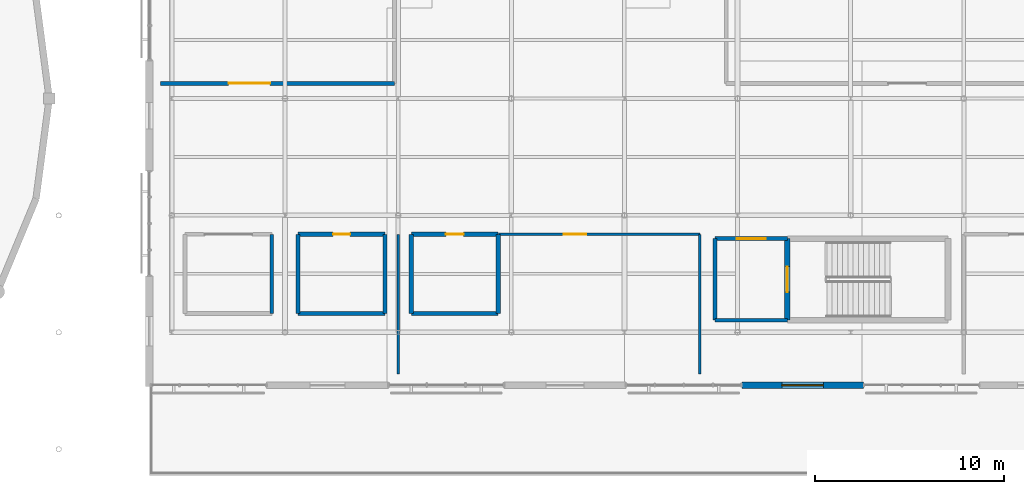
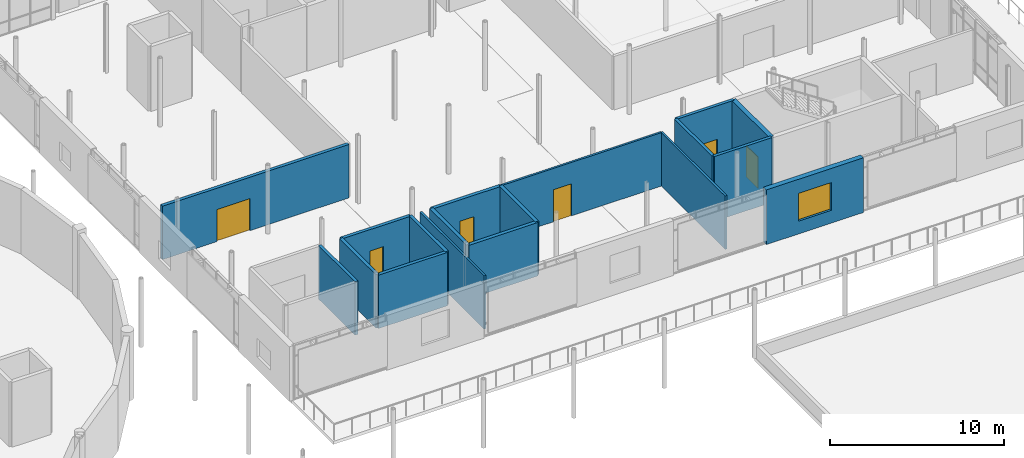
# One storey, part 46 of 66: 18 walls, 6 doors, 1 window, 7 openings.
"""IFC4 building model written with IfcOpenShell, lengths in metres."""

from ifc_helpers import new_model, si_unit, direction, frame, frame_2d, origin, place, context, subcontext, project, spatial, rectangle, extrude, material, layer, layer_set, type_object, element, fill, save


model = new_model("IFC4")

# Units and contexts
model_context = context("Model", 3, precision=1e-05, world=origin(), true_north=direction((0.0, 1.0)))
body_context = subcontext(model_context, "Body", "Model", "MODEL_VIEW")
ifc_project = project(units=[si_unit("LENGTHUNIT", "METRE"), si_unit("AREAUNIT", "SQUARE_METRE"), si_unit("VOLUMEUNIT", "CUBIC_METRE"), si_unit("PLANEANGLEUNIT", "RADIAN"), si_unit("MASSUNIT", "GRAM", prefix="KILO")], contexts=[model_context])

# Site, building, storey
site_placement = place(None, origin())
site = spatial("IfcSite", under=ifc_project, at=site_placement, CompositionType="ELEMENT")
building_placement = place(site_placement, origin())
building = spatial("IfcBuilding", under=site, at=building_placement, Name="Mirzam Square Science Centre", CompositionType="ELEMENT")
storey_placement = place(building_placement, frame((0.0, 0.0, 15.60009765625)))
storey = spatial("IfcBuildingStorey", under=building, at=storey_placement, Name="L03", CompositionType="ELEMENT", Elevation=15.60009765625)

# Wall, opening, door
ifc_material_1 = material(Name="Concrete C45/55", Category="concrete")
ifc_layer_1 = layer(ifc_material_1, 0.300048828125)
ifc_layer_set_1 = layer_set([ifc_layer_1], Name="W-CORE-300")
wall_type_1 = type_object("IfcWallType", Name="W-CORE-300", PredefinedType="SHEAR", material=ifc_layer_set_1)
wall_1_placement = place(storey_placement, frame((140.639892578125, 54.570068359375, 0.0), z_axis=(0.0, 0.0, 1.0), x_axis=(0.0, -1.0, 0.0)))
wall_1 = element("IfcWall", 1, at=wall_1_placement, inside=storey, type_object=wall_type_1, Name="L03 CORE-5 west wall", PredefinedType="SHEAR", context=body_context, shape_type="SweptSolid", body=[
    extrude(rectangle(XDim=4.330078125, YDim=0.300048828125, at=frame_2d((2.1650390625, 0.0))), origin(), (0.0, 0.0, 1.0), 4.5498046875),
])
opening_1_placement = place(wall_1_placement, frame((1.489990234375, 0.0, 0.0)))
opening_1 = element("IfcOpeningElement", 2, at=opening_1_placement, cuts=wall_1, Name="Opening DS-01", PredefinedType="OPENING", context=body_context, shape_type="SweptSolid", body=[
    extrude(rectangle(XDim=1.35009765625, YDim=2.199951171875, at=frame_2d((0.675048828125, 1.10009765625))), frame((0.0, 0.159912109375, 0.0), z_axis=(0.0, -1.0, 0.0), x_axis=(1.0, 0.0, 0.0)), (0.0, 0.0, 1.0), 0.320068359375),
])
ifc_material_2 = material(Name="Fire-Rated Powder-Coated Architectural Steel Door", Category="steel")
door_type_1 = type_object("IfcDoorType", Name="DR-STAIR-1350x2200", OperationType="NOTDEFINED", PredefinedType="DOOR", material=ifc_material_2)
door_1_placement = place(opening_1_placement, origin())
door_1 = element("IfcDoor", 3, at=door_1_placement, inside=storey, type_object=door_type_1, Name="DRS-5-L03", OperationType="SINGLE_SWING_LEFT", OverallHeight=2.199951171875, OverallWidth=1.35009765625, PredefinedType="DOOR", context=body_context, shape_type="SweptSolid", body=[
    extrude(rectangle(XDim=1.35009765625, YDim=2.199951171875, at=frame_2d((0.675048828125, 1.10009765625))), frame((0.0, 0.02490234375, 0.0), z_axis=(0.0, -1.0, 0.0), x_axis=(1.0, 0.0, 0.0)), (0.0, 0.0, 1.0), 0.050048828125),
])
fill(opening_1, door_1)

# Wall, opening, window
ifc_material_3 = material(Name="Insulated Sand-Toned GFRC Concrete C40/50", Category="concrete")
ifc_layer_2 = layer(ifc_material_3, 0.340087890625)
ifc_layer_set_2 = layer_set([ifc_layer_2], Name="W-EXT-GFRC-340")
wall_type_2 = type_object("IfcWallType", Name="W-EXT-GFRC-340", PredefinedType="SOLIDWALL", material=ifc_layer_set_2)
wall_2_placement = place(storey_placement, frame((138.22509765625, 46.800048828125, 0.0), z_axis=(0.0, 0.0, 1.0), x_axis=(1.0, 0.0, 0.0)))
wall_2 = element("IfcWall", 4, at=wall_2_placement, inside=storey, type_object=wall_type_2, Name="L03 external wall EW-EST-S-L03-06", PredefinedType="SOLIDWALL", context=body_context, shape_type="SweptSolid", body=[
    extrude(rectangle(XDim=6.449951171875, YDim=0.340087890625, at=frame_2d((3.22509765625, 0.0))), origin(), (0.0, 0.0, 1.0), 3.83984375),
])
opening_2_placement = place(wall_2_placement, frame((2.125, 0.0, 0.89990234375)))
opening_2 = element("IfcOpeningElement", 5, at=opening_2_placement, cuts=wall_2, Name="Opening W-41", PredefinedType="OPENING", context=body_context, shape_type="SweptSolid", body=[
    extrude(rectangle(XDim=2.199951171875, YDim=1.949951171875, at=frame_2d((1.10009765625, 0.97509765625))), frame((0.0, 0.179931640625, 0.0), z_axis=(0.0, -1.0, 0.0), x_axis=(1.0, 0.0, 0.0)), (0.0, 0.0, 1.0), 0.360107421875),
])
ifc_material_4 = material(Name="Thermally Broken Bronze Aluminium and Low-E Glass", Category="aluminium")
window_type = type_object("IfcWindowType", Name="WIN-2200x1950", PartitioningType="DOUBLE_PANEL_VERTICAL", PredefinedType="WINDOW", material=ifc_material_4)
window_placement = place(opening_2_placement, origin())
window = element("IfcWindow", 6, at=window_placement, inside=storey, type_object=window_type, Name="L03 solar window 085", OverallHeight=1.949951171875, OverallWidth=2.199951171875, PartitioningType="DOUBLE_PANEL_VERTICAL", PredefinedType="WINDOW", context=body_context, shape_type="SweptSolid", body=[
    extrude(rectangle(XDim=2.199951171875, YDim=1.949951171875, at=frame_2d((1.10009765625, 0.97509765625))), frame((0.0, 0.030029296875, 0.0), z_axis=(0.0, -1.0, 0.0), x_axis=(1.0, 0.0, 0.0)), (0.0, 0.0, 1.0), 0.06005859375),
])
fill(opening_2, window)

# Wall
ifc_layer_3 = layer(ifc_material_1, 0.199951171875)
ifc_layer_set_3 = layer_set([ifc_layer_3], Name="W-LOBBY-200")
wall_type_3 = type_object("IfcWallType", Name="W-LOBBY-200", PredefinedType="SHEAR", material=ifc_layer_set_3)
wall_3_placement = place(storey_placement, frame((136.800048828125, 50.239990234375, 0.0), z_axis=(0.0, 0.0, 1.0), x_axis=(1.0, 0.0, 0.0)))
element("IfcWall", 7, at=wall_3_placement, inside=storey, type_object=wall_type_3, Name="L03 CORE-5 lobby south wall", PredefinedType="SHEAR", context=body_context, shape_type="SweptSolid", body=[
    extrude(rectangle(XDim=3.83984375, YDim=0.199951171875, at=frame_2d((1.919921875, 0.0))), origin(), (0.0, 0.0, 1.0), 4.5498046875),
])

# Wall, opening, door
wall_4_placement = place(storey_placement, frame((140.639892578125, 54.570068359375, 0.0), z_axis=(0.0, 0.0, 1.0), x_axis=(-1.0, 0.0, 0.0)))
wall_4 = element("IfcWall", 8, at=wall_4_placement, inside=storey, type_object=wall_type_3, Name="L03 CORE-5 lobby north wall", PredefinedType="SHEAR", context=body_context, shape_type="SweptSolid", body=[
    extrude(rectangle(XDim=3.83984375, YDim=0.199951171875, at=frame_2d((1.919921875, 0.0))), origin(), (0.0, 0.0, 1.0), 4.5498046875),
])
opening_3_placement = place(wall_4_placement, frame((1.14501953125, 0.0, 0.0)))
opening_3 = element("IfcOpeningElement", 9, at=opening_3_placement, cuts=wall_4, Name="Opening DL-01", PredefinedType="OPENING", context=body_context, shape_type="SweptSolid", body=[
    extrude(rectangle(XDim=1.550048828125, YDim=2.199951171875, at=frame_2d((0.77490234375, 1.10009765625))), frame((0.0, 0.10986328125, 0.0), z_axis=(0.0, -1.0, 0.0), x_axis=(1.0, 0.0, 0.0)), (0.0, 0.0, 1.0), 0.219970703125),
])
ifc_material_5 = material(Name="Fire-Rated Glazed Architectural Steel Lobby Door", Category="steel")
door_type_2 = type_object("IfcDoorType", Name="DR-LOBBY-1550x2200", OperationType="DOUBLE_DOOR_SINGLE_SWING", PredefinedType="DOOR", material=ifc_material_5)
door_2_placement = place(opening_3_placement, origin())
door_2 = element("IfcDoor", 10, at=door_2_placement, inside=storey, type_object=door_type_2, Name="DRL-5-L03", OperationType="SINGLE_SWING_LEFT", OverallHeight=2.199951171875, OverallWidth=1.550048828125, PredefinedType="DOOR", context=body_context, shape_type="SweptSolid", body=[
    extrude(rectangle(XDim=1.550048828125, YDim=2.199951171875, at=frame_2d((0.77490234375, 1.10009765625))), frame((0.0, 0.02490234375, 0.0), z_axis=(0.0, -1.0, 0.0), x_axis=(1.0, 0.0, 0.0)), (0.0, 0.0, 1.0), 0.050048828125),
])
fill(opening_3, door_2)

# Walls
wall_5_placement = place(storey_placement, frame((136.800048828125, 54.570068359375, 0.0), z_axis=(0.0, 0.0, 1.0), x_axis=(0.0, -1.0, 0.0)))
element("IfcWall", 11, at=wall_5_placement, inside=storey, type_object=wall_type_3, Name="L03 CORE-5 lobby west wall", PredefinedType="SHEAR", context=body_context, shape_type="SweptSolid", body=[
    extrude(rectangle(XDim=4.330078125, YDim=0.199951171875, at=frame_2d((2.1650390625, 0.0))), origin(), (0.0, 0.0, 1.0), 4.5498046875),
])
ifc_material_6 = material(Name="Double-Board Gypsum Partition", Category="gypsum")
ifc_layer_4 = layer(ifc_material_6, 0.135009765625)
ifc_layer_set_4 = layer_set([ifc_layer_4], Name="W-PART-135")
wall_type_4 = type_object("IfcWallType", Name="W-PART-135", PredefinedType="PARTITIONING", material=ifc_layer_set_4)
for number, where, z_axis, x_axis, name in (
    (12, (136.0, 54.800048828125, 0.0), (0.0, 0.0, 1.0), (0.0, -1.0, 0.0), "L03 Photonics and Laser Dry Laboratory 2 partition 232"),
    (13, (120.0, 47.39990234375, 0.0), (0.0, 0.0, 1.0), (0.0, 1.0, 0.0), "L03 Photonics and Laser Dry Laboratory 2 partition 233"),
):
    element("IfcWall", number, at=place(storey_placement, frame(where, z_axis=z_axis, x_axis=x_axis)), inside=storey, type_object=wall_type_4, Name=name, PredefinedType="PARTITIONING", context=body_context, shape_type="SweptSolid", body=[
        extrude(rectangle(XDim=7.400146484375, YDim=0.135009765625, at=frame_2d((3.7001953125, 0.0))), origin(), (0.0, 0.0, 1.0), 3.75),
    ])

# Wall, opening, door
wall_6_placement = place(storey_placement, frame((125.31005859375, 54.800048828125, 0.0), z_axis=(0.0, 0.0, 1.0), x_axis=(1.0, 0.0, 0.0)))
wall_6 = element("IfcWall", 14, at=wall_6_placement, inside=storey, type_object=wall_type_4, Name="L03 Photonics and Laser Dry Laboratory 2 partition 234", PredefinedType="PARTITIONING", context=body_context, shape_type="SweptSolid", body=[
    extrude(rectangle(XDim=10.68994140625, YDim=0.135009765625, at=frame_2d((5.344970703125, 0.0))), origin(), (0.0, 0.0, 1.0), 3.75),
])
opening_4_placement = place(wall_6_placement, frame((3.462158203125, 0.0, 0.0)))
opening_4 = element("IfcOpeningElement", 15, at=opening_4_placement, cuts=wall_6, Name="Opening D-18", PredefinedType="OPENING", context=body_context, shape_type="SweptSolid", body=[
    extrude(rectangle(XDim=1.199951171875, YDim=2.25, at=frame_2d((0.60009765625, 1.125))), frame((0.0, 0.077392578125, 0.0), z_axis=(0.0, -1.0, 0.0), x_axis=(1.0, 0.0, 0.0)), (0.0, 0.0, 1.0), 0.155029296875),
])
ifc_material_7 = material(Name="Solid Core Acoustic Oak Timber Door", Category="wood")
door_type_3 = type_object("IfcDoorType", Name="DR-INT-1200x2250", OperationType="NOTDEFINED", PredefinedType="DOOR", material=ifc_material_7)
door_3_placement = place(opening_4_placement, origin())
door_3 = element("IfcDoor", 16, at=door_3_placement, inside=storey, type_object=door_type_3, Name="ID-L03-0065", OperationType="SINGLE_SWING_RIGHT", OverallHeight=2.25, OverallWidth=1.199951171875, PredefinedType="DOOR", context=body_context, shape_type="SweptSolid", body=[
    extrude(rectangle(XDim=1.199951171875, YDim=2.25, at=frame_2d((0.60009765625, 1.125))), frame((0.0, 0.02490234375, 0.0), z_axis=(0.0, -1.0, 0.0), x_axis=(1.0, 0.0, 0.0)), (0.0, 0.0, 1.0), 0.050048828125),
])
fill(opening_4, door_3)

# Wall
ifc_material_8 = material(Name="Fire-Rated Corridor Blockwork Concrete C30/37", Category="masonry")
ifc_layer_5 = layer(ifc_material_8, 0.199951171875)
ifc_layer_set_5 = layer_set([ifc_layer_5], Name="W-PART-200")
wall_type_5 = type_object("IfcWallType", Name="W-PART-200", PredefinedType="PARTITIONING", material=ifc_layer_set_5)
wall_7_placement = place(storey_placement, frame((113.300048828125, 54.800048828125, 0.0), z_axis=(0.0, 0.0, 1.0), x_axis=(0.0, -1.0, 0.0)))
element("IfcWall", 17, at=wall_7_placement, inside=storey, type_object=wall_type_5, Name="L03 Male WC L03 partition 214", PredefinedType="PARTITIONING", context=body_context, shape_type="SweptSolid", body=[
    extrude(rectangle(XDim=4.199951171875, YDim=0.199951171875, at=frame_2d((2.10009765625, 0.0))), origin(), (0.0, 0.0, 1.0), 3.75),
])

# Wall, opening, door
ifc_material_9 = material(Name="Chemical Prep Fire Partition Concrete C30/37", Category="concrete")
ifc_layer_6 = layer(ifc_material_9, 0.215087890625)
ifc_layer_set_6 = layer_set([ifc_layer_6], Name="W-PART-215")
wall_type_6 = type_object("IfcWallType", Name="W-PART-215", PredefinedType="PARTITIONING", material=ifc_layer_set_6)
wall_8_placement = place(storey_placement, frame((114.699951171875, 54.800048828125, 0.0), z_axis=(0.0, 0.0, 1.0), x_axis=(1.0, 0.0, 0.0)))
wall_8 = element("IfcWall", 18, at=wall_8_placement, inside=storey, type_object=wall_type_6, Name="L03 Female WC L03 partition 217", PredefinedType="PARTITIONING", context=body_context, shape_type="SweptSolid", body=[
    extrude(rectangle(XDim=4.60009765625, YDim=0.215087890625, at=frame_2d((2.300048828125, 0.0))), origin(), (0.0, 0.0, 1.0), 3.75),
])
opening_5_placement = place(wall_8_placement, frame((1.85009765625, 0.0, 0.0)))
opening_5 = element("IfcOpeningElement", 19, at=opening_5_placement, cuts=wall_8, Name="Opening D-13", PredefinedType="OPENING", context=body_context, shape_type="SweptSolid", body=[
    extrude(rectangle(XDim=0.89990234375, YDim=2.25, at=frame_2d((0.449951171875, 1.125))), frame((0.0, 0.117431640625, 0.0), z_axis=(0.0, -1.0, 0.0), x_axis=(1.0, 0.0, 0.0)), (0.0, 0.0, 1.0), 0.235107421875),
])
door_type_4 = type_object("IfcDoorType", Name="DR-INT-900x2250", OperationType="NOTDEFINED", PredefinedType="DOOR", material=ifc_material_7)
door_4_placement = place(opening_5_placement, origin())
door_4 = element("IfcDoor", 20, at=door_4_placement, inside=storey, type_object=door_type_4, Name="ID-L03-0060", OperationType="SINGLE_SWING_LEFT", OverallHeight=2.25, OverallWidth=0.89990234375, PredefinedType="DOOR", context=body_context, shape_type="SweptSolid", body=[
    extrude(rectangle(XDim=0.89990234375, YDim=2.25, at=frame_2d((0.449951171875, 1.125))), frame((0.0, 0.02490234375, 0.0), z_axis=(0.0, -1.0, 0.0), x_axis=(1.0, 0.0, 0.0)), (0.0, 0.0, 1.0), 0.050048828125),
])
fill(opening_5, door_4)

# Walls
wall_9_placement = place(storey_placement, frame((119.300048828125, 54.800048828125, 0.0), z_axis=(0.0, 0.0, 1.0), x_axis=(0.0, -1.0, 0.0)))
element("IfcWall", 21, at=wall_9_placement, inside=storey, type_object=wall_type_6, Name="L03 Female WC L03 partition 218", PredefinedType="PARTITIONING", context=body_context, shape_type="SweptSolid", body=[
    extrude(rectangle(XDim=4.199951171875, YDim=0.215087890625, at=frame_2d((2.10009765625, 0.0))), origin(), (0.0, 0.0, 1.0), 3.75),
])
wall_10_placement = place(storey_placement, frame((119.300048828125, 50.60009765625, 0.0), z_axis=(0.0, 0.0, 1.0), x_axis=(-1.0, 0.0, 0.0)))
element("IfcWall", 22, at=wall_10_placement, inside=storey, type_object=wall_type_6, Name="L03 Female WC L03 partition 219", PredefinedType="PARTITIONING", context=body_context, shape_type="SweptSolid", body=[
    extrude(rectangle(XDim=4.60009765625, YDim=0.215087890625, at=frame_2d((2.300048828125, 0.0))), origin(), (0.0, 0.0, 1.0), 3.75),
])
wall_11_placement = place(storey_placement, frame((114.699951171875, 50.60009765625, 0.0), z_axis=(0.0, 0.0, 1.0), x_axis=(0.0, 1.0, 0.0)))
element("IfcWall", 23, at=wall_11_placement, inside=storey, type_object=wall_type_6, Name="L03 Female WC L03 partition 220", PredefinedType="PARTITIONING", context=body_context, shape_type="SweptSolid", body=[
    extrude(rectangle(XDim=4.199951171875, YDim=0.215087890625, at=frame_2d((2.10009765625, 0.0))), origin(), (0.0, 0.0, 1.0), 3.75),
])

# Wall, opening, door
wall_12_placement = place(storey_placement, frame((119.800048828125, 62.800048828125, 0.0), z_axis=(0.0, 0.0, 1.0), x_axis=(-1.0, 0.0, 0.0)))
wall_12 = element("IfcWall", 24, at=wall_12_placement, inside=storey, type_object=wall_type_6, Name="L03 Arid Botany Wet Laboratory 4 partition 252", PredefinedType="PARTITIONING", context=body_context, shape_type="SweptSolid", body=[
    extrude(rectangle(XDim=12.400146484375, YDim=0.215087890625, at=frame_2d((6.2001953125, 0.0))), origin(), (0.0, 0.0, 1.0), 3.75),
])
opening_6_placement = place(wall_12_placement, frame((6.587890625, 0.0, 0.0)))
opening_6 = element("IfcOpeningElement", 25, at=opening_6_placement, cuts=wall_12, Name="Opening D-23", PredefinedType="OPENING", context=body_context, shape_type="SweptSolid", body=[
    extrude(rectangle(XDim=2.199951171875, YDim=2.25, at=frame_2d((1.10009765625, 1.125))), frame((0.0, 0.117431640625, 0.0), z_axis=(0.0, -1.0, 0.0), x_axis=(1.0, 0.0, 0.0)), (0.0, 0.0, 1.0), 0.235107421875),
])
ifc_material_10 = material(Name="Powder-Coated Architectural Steel Acoustic Door", Category="steel")
door_type_5 = type_object("IfcDoorType", Name="DR-INT-2200x2250", OperationType="DOUBLE_DOOR_SINGLE_SWING", PredefinedType="DOOR", material=ifc_material_10)
door_5_placement = place(opening_6_placement, origin())
door_5 = element("IfcDoor", 26, at=door_5_placement, inside=storey, type_object=door_type_5, Name="ID-L03-0070", OperationType="DOUBLE_DOOR_SINGLE_SWING", OverallHeight=2.25, OverallWidth=2.199951171875, PredefinedType="DOOR", context=body_context, shape_type="SweptSolid", body=[
    extrude(rectangle(XDim=2.199951171875, YDim=2.25, at=frame_2d((1.10009765625, 1.125))), frame((0.0, 0.02490234375, 0.0), z_axis=(0.0, -1.0, 0.0), x_axis=(1.0, 0.0, 0.0)), (0.0, 0.0, 1.0), 0.050048828125),
])
fill(opening_6, door_5)

ifc_material_11 = material(Name="Gallery Display Backing Wall Concrete C30/37", Category="concrete")
ifc_layer_7 = layer(ifc_material_11, 0.22998046875)
ifc_layer_set_7 = layer_set([ifc_layer_7], Name="W-PART-230")
wall_type_7 = type_object("IfcWallType", Name="W-PART-230", PredefinedType="PARTITIONING", material=ifc_layer_set_7)
wall_13_placement = place(storey_placement, frame((120.699951171875, 54.800048828125, 0.0), z_axis=(0.0, 0.0, 1.0), x_axis=(1.0, 0.0, 0.0)))
wall_13 = element("IfcWall", 27, at=wall_13_placement, inside=storey, type_object=wall_type_7, Name="L03 Accessible WC L03 partition 221", PredefinedType="PARTITIONING", context=body_context, shape_type="SweptSolid", body=[
    extrude(rectangle(XDim=4.60009765625, YDim=0.22998046875, at=frame_2d((2.300048828125, 0.0))), origin(), (0.0, 0.0, 1.0), 3.75),
])
opening_7_placement = place(wall_13_placement, frame((1.824951171875, 0.0, 0.0)))
opening_7 = element("IfcOpeningElement", 28, at=opening_7_placement, cuts=wall_13, Name="Opening D-14", PredefinedType="OPENING", context=body_context, shape_type="SweptSolid", body=[
    extrude(rectangle(XDim=0.949951171875, YDim=2.25, at=frame_2d((0.47509765625, 1.125))), frame((0.0, 0.125, 0.0), z_axis=(0.0, -1.0, 0.0), x_axis=(1.0, 0.0, 0.0)), (0.0, 0.0, 1.0), 0.25),
])
door_type_6 = type_object("IfcDoorType", Name="DR-INT-950x2250", OperationType="NOTDEFINED", PredefinedType="DOOR", material=ifc_material_7)
door_6_placement = place(opening_7_placement, origin())
door_6 = element("IfcDoor", 29, at=door_6_placement, inside=storey, type_object=door_type_6, Name="ID-L03-0061", OperationType="SINGLE_SWING_RIGHT", OverallHeight=2.25, OverallWidth=0.949951171875, PredefinedType="DOOR", context=body_context, shape_type="SweptSolid", body=[
    extrude(rectangle(XDim=0.949951171875, YDim=2.25, at=frame_2d((0.47509765625, 1.125))), frame((0.0, 0.02490234375, 0.0), z_axis=(0.0, -1.0, 0.0), x_axis=(1.0, 0.0, 0.0)), (0.0, 0.0, 1.0), 0.050048828125),
])
fill(opening_7, door_6)

# Walls
wall_14_placement = place(storey_placement, frame((125.300048828125, 54.800048828125, 0.0), z_axis=(0.0, 0.0, 1.0), x_axis=(0.0, -1.0, 0.0)))
element("IfcWall", 30, at=wall_14_placement, inside=storey, type_object=wall_type_7, Name="L03 Accessible WC L03 partition 222", PredefinedType="PARTITIONING", context=body_context, shape_type="SweptSolid", body=[
    extrude(rectangle(XDim=4.199951171875, YDim=0.22998046875, at=frame_2d((2.10009765625, 0.0))), origin(), (0.0, 0.0, 1.0), 3.75),
])
wall_15_placement = place(storey_placement, frame((125.300048828125, 50.60009765625, 0.0), z_axis=(0.0, 0.0, 1.0), x_axis=(-1.0, 0.0, 0.0)))
element("IfcWall", 31, at=wall_15_placement, inside=storey, type_object=wall_type_7, Name="L03 Accessible WC L03 partition 223", PredefinedType="PARTITIONING", context=body_context, shape_type="SweptSolid", body=[
    extrude(rectangle(XDim=4.60009765625, YDim=0.22998046875, at=frame_2d((2.300048828125, 0.0))), origin(), (0.0, 0.0, 1.0), 3.75),
])
wall_16_placement = place(storey_placement, frame((120.699951171875, 50.60009765625, 0.0), z_axis=(0.0, 0.0, 1.0), x_axis=(0.0, 1.0, 0.0)))
element("IfcWall", 32, at=wall_16_placement, inside=storey, type_object=wall_type_7, Name="L03 Accessible WC L03 partition 224", PredefinedType="PARTITIONING", context=body_context, shape_type="SweptSolid", body=[
    extrude(rectangle(XDim=4.199951171875, YDim=0.22998046875, at=frame_2d((2.10009765625, 0.0))), origin(), (0.0, 0.0, 1.0), 3.75),
])

save(model, "model.ifc")
